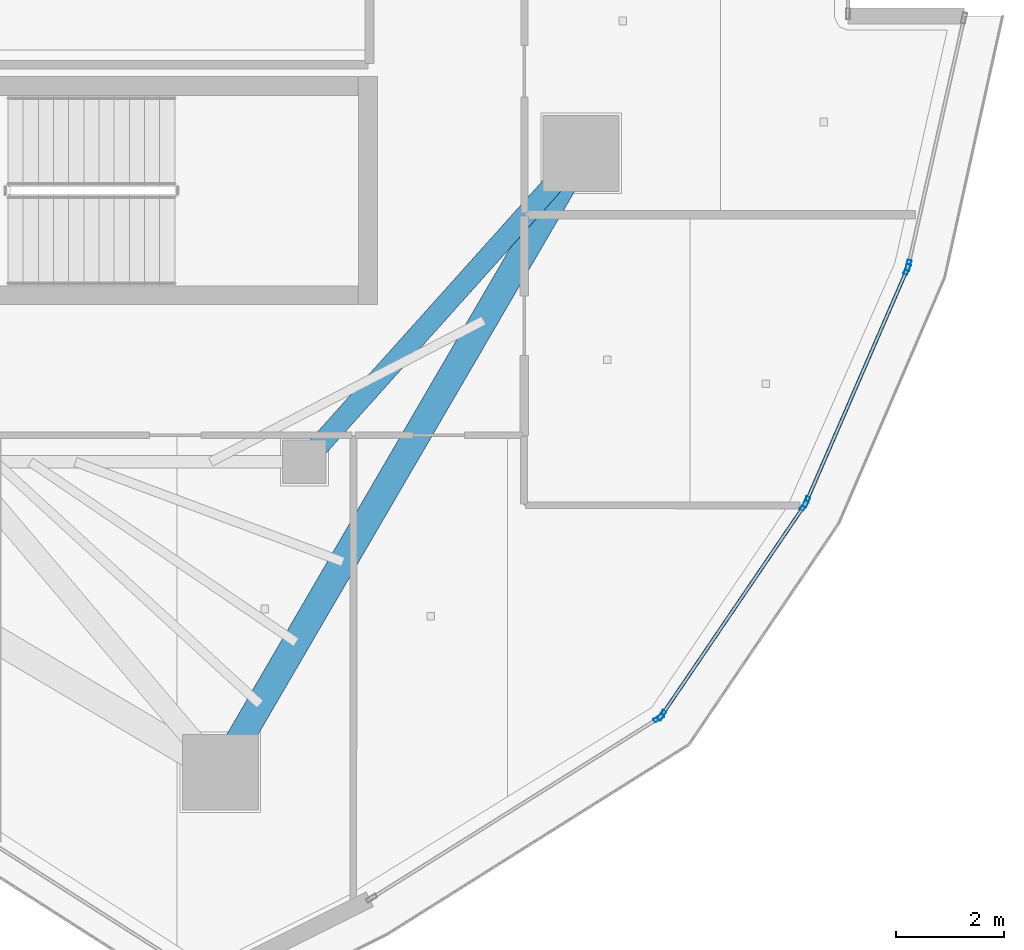
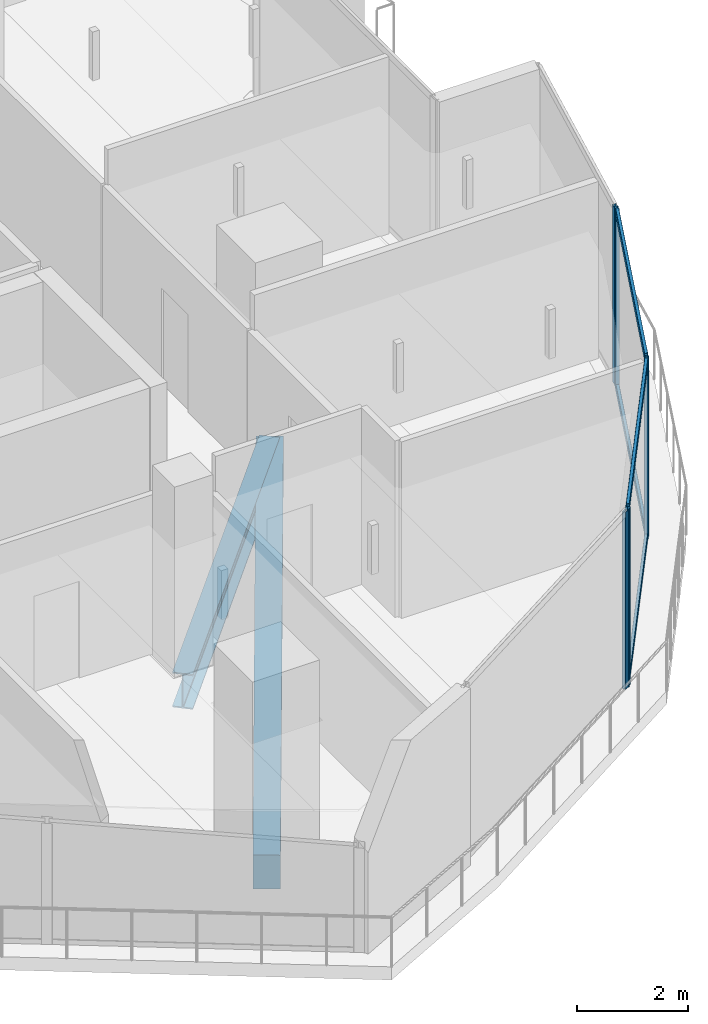
# One storey, part 9 of 24: 10 members, 2 beams, 4 elements without a shape of their own.
"""IFC4 building model written with IfcOpenShell, lengths in metres."""

import ifcopenshell
import ifcopenshell.guid

model = None  # the IFC model being written
_history = None  # IfcOwnerHistory: only IFC2X3 demands one
_inside = {}  # id of a spatial element -> (the spatial element, [elements in it])
_under = {}  # id of a project, library or spatial element -> (it, [spatial elements below it])
_declared = {}  # id of a project -> (the project, [libraries it declares])
_typed = {}  # id of a type object -> (the type object, [elements of that type])
_made_of = {}  # id of a material, layer set ... -> (it, [elements and type objects made of it])


def new_model(schema):
    """Start an empty IFC model of exactly this schema.

    Asked for "IFC4X3", IfcOpenShell would pick the latest addendum, in which some entities
    have other attributes; the version numbers below select the first issue.
    IFC2X3 requires an IfcOwnerHistory on every rooted entity: one is made here for all.
    """
    global model, _history
    if schema == "IFC4X3":
        model = ifcopenshell.file(schema_version=(4, 3, 0, 0))
    else:
        model = ifcopenshell.file(schema=schema)
    _inside.clear()
    _under.clear()
    _declared.clear()
    _typed.clear()
    _made_of.clear()
    _history = None
    if model.schema == "IFC2X3":
        org = make("IfcOrganization", Name="unknown")
        user = make(
            "IfcPersonAndOrganization",
            ThePerson=make("IfcPerson", FamilyName="unknown"),
            TheOrganization=org,
        )
        app = make(
            "IfcApplication",
            ApplicationDeveloper=org,
            Version="unknown",
            ApplicationFullName="unknown",
            ApplicationIdentifier="unknown",
        )
        _history = make(
            "IfcOwnerHistory",
            OwningUser=user,
            OwningApplication=app,
            ChangeAction="ADDED",
            CreationDate=0,
        )
    return model


def make(cls, **values):
    """One entity of the class cls with the attributes given. An attribute that is None is left unset."""
    return model.create_entity(
        cls, **{name: value for name, value in values.items() if value is not None}
    )


def rooted(cls, **values):
    """An entity with a GlobalId (a new one), such as an element, a storey or a relation."""
    return make(cls, GlobalId=ifcopenshell.guid.new(), OwnerHistory=_history, **values)


def si_unit(unit_type, name, prefix=None):
    """IfcSIUnit, for example si_unit("LENGTHUNIT", "METRE", prefix="MILLI")."""
    return make("IfcSIUnit", UnitType=unit_type, Prefix=prefix, Name=name)


def assignment(units):
    """IfcUnitAssignment: the units of a project."""
    return None if units is None else make("IfcUnitAssignment", Units=units)


def point(xyz):
    """IfcCartesianPoint."""
    return None if xyz is None else make("IfcCartesianPoint", Coordinates=xyz)


def direction(xyz):
    """IfcDirection."""
    return None if xyz is None else make("IfcDirection", DirectionRatios=xyz)


def frame(location, z_axis=None, x_axis=None):
    """IfcAxis2Placement3D, a coordinate frame: its origin and axes. An axis left out is left unset."""
    return make(
        "IfcAxis2Placement3D",
        Location=point(location),
        Axis=direction(z_axis),
        RefDirection=direction(x_axis),
    )


def frame_2d(location, x_axis=None):
    """IfcAxis2Placement2D, a coordinate frame in the plane: its origin and x axis."""
    return make(
        "IfcAxis2Placement2D", Location=point(location), RefDirection=direction(x_axis)
    )


def origin():
    """The frame at (0, 0, 0) with its axes left unset."""
    return frame((0.0, 0.0, 0.0))


def origin_2d():
    """The frame at (0, 0) in the plane with its x axis left unset."""
    return frame_2d((0.0, 0.0))


def place(relative_to, where):
    """IfcLocalPlacement: puts the frame where relative to a parent placement (None: the world)."""
    return make(
        "IfcLocalPlacement", PlacementRelTo=relative_to, RelativePlacement=where
    )


def context(
    kind, dimensions, precision=None, world=None, true_north=None, identifier=None
):
    """IfcGeometricRepresentationContext, for example the 3D "Model" context."""
    return make(
        "IfcGeometricRepresentationContext",
        ContextIdentifier=identifier,
        ContextType=kind,
        CoordinateSpaceDimension=dimensions,
        Precision=precision,
        WorldCoordinateSystem=world,
        TrueNorth=true_north,
    )


def subcontext(parent, identifier, kind, view, scale=None):
    """IfcGeometricRepresentationSubContext, for example "Body" below "Model"."""
    return make(
        "IfcGeometricRepresentationSubContext",
        ContextIdentifier=identifier,
        ContextType=kind,
        ParentContext=parent,
        TargetScale=scale,
        TargetView=view,
    )


def project(units=None, contexts=None):
    """IfcProject with its units and contexts."""
    return rooted(
        "IfcProject",
        Name="project",
        RepresentationContexts=contexts,
        UnitsInContext=assignment(units),
    )


def spatial(cls, under=None, at=None, **own):
    """A site, building, storey or space (cls), placed at a placement, below another one or the project."""
    s = rooted(cls, ObjectPlacement=at, **own)
    if under is not None:
        _under.setdefault(under.id(), (under, []))[1].append(s)
    return s


def profile(cls, at=None, kind="AREA", **sizes):
    """A parametric profile (cls). Its sizes go by their IFC names, for example OverallWidth=200.0."""
    return make(cls, ProfileType=kind, Position=at, **sizes)


def rectangle(**sizes):
    """IfcRectangleProfileDef."""
    return profile("IfcRectangleProfileDef", **sizes)


def hollow_rectangle(**sizes):
    """IfcRectangleHollowProfileDef."""
    return profile("IfcRectangleHollowProfileDef", **sizes)


def i_section(**sizes):
    """IfcIShapeProfileDef."""
    return profile("IfcIShapeProfileDef", **sizes)


def extrude(swept, where, along, depth):
    """IfcExtrudedAreaSolid: the profile swept, set in the frame where, extruded along a direction by depth."""
    return make(
        "IfcExtrudedAreaSolid",
        SweptArea=swept,
        Position=where,
        ExtrudedDirection=direction(along),
        Depth=depth,
    )


def shape(context_of_items, identifier, shape_type, items):
    """IfcShapeRepresentation: the items that make up one representation, for example the "Body"."""
    return make(
        "IfcShapeRepresentation",
        ContextOfItems=context_of_items,
        RepresentationIdentifier=identifier,
        RepresentationType=shape_type,
        Items=items,
    )


def material(Name=None, Category=None):
    """IfcMaterial."""
    return make("IfcMaterial", Name=Name, Category=Category)


def layer(
    of_material, thickness, ventilated=None, Name=None, Category=None, Priority=None
):
    """IfcMaterialLayer: one layer of a wall or slab, of a material (None: an air gap)."""
    return make(
        "IfcMaterialLayer",
        Material=of_material,
        LayerThickness=thickness,
        IsVentilated=ventilated,
        Name=Name,
        Category=Category,
        Priority=Priority,
    )


def layer_set(layers, Name=None):
    """IfcMaterialLayerSet."""
    return make("IfcMaterialLayerSet", MaterialLayers=layers, LayerSetName=Name)


def material_profile(
    of_material, cross_section, Name=None, Category=None, Priority=None
):
    """IfcMaterialProfile: a cross section and its material."""
    return make(
        "IfcMaterialProfile",
        Name=Name,
        Material=of_material,
        Profile=cross_section,
        Priority=Priority,
        Category=Category,
    )


def profile_set(profiles, Name=None, composite=None):
    """IfcMaterialProfileSet."""
    return make(
        "IfcMaterialProfileSet",
        Name=Name,
        MaterialProfiles=profiles,
        CompositeProfile=composite,
    )


def made_of(thing, what):
    """Note that an element or type object is made of a material, layer set ...; save() writes the relation."""
    if what is not None:
        _made_of.setdefault(what.id(), (what, []))[1].append(thing)
    return thing


def type_object(cls, material=None, **own):
    """A type object (cls), such as IfcWallType, which elements share."""
    return made_of(rooted(cls, **own), material)


def element(
    cls,
    number,
    at=None,
    inside=None,
    cuts=None,
    type_object=None,
    material=None,
    context=None,
    identifier="Body",
    shape_type=None,
    held_by="IfcProductDefinitionShape",
    body=None,
    shapes=None,
    **own,
):
    """One element of the class cls, such as IfcWall. Its Tag is "e" and its number.

    at: its placement. inside: the storey or other place that contains it. cuts: it is an
    opening in that element (IfcRelVoidsElement). A single representation is given by context,
    identifier, shape_type and body (its items); several are given by shapes. held_by: the class
    of the entity that holds the representations. save() writes the other relations.
    """
    e = rooted(cls, Tag="e%d" % number, ObjectPlacement=at, **own)
    if body is not None:
        shapes = [shape(context, identifier, shape_type, body)]
    if shapes is not None:
        e.Representation = make(held_by, Representations=shapes)
    if inside is not None:
        _inside.setdefault(inside.id(), (inside, []))[1].append(e)
    if cuts is not None:
        rooted(
            "IfcRelVoidsElement", RelatingBuildingElement=cuts, RelatedOpeningElement=e
        )
    if type_object is not None:
        _typed.setdefault(type_object.id(), (type_object, []))[1].append(e)
    return made_of(e, material)


def aggregate(whole, parts):
    """IfcRelAggregates: a whole, such as a stair, and the parts it consists of."""
    return rooted("IfcRelAggregates", RelatingObject=whole, RelatedObjects=parts)


def save(model, path):
    """Write the relations noted so far, then the file.

    IfcRelAggregates (storeys below a building ...), IfcRelContainedInSpatialStructure (elements
    in a storey), IfcRelDefinesByType, IfcRelAssociatesMaterial and IfcRelDeclares: one each for
    every whole, place, type object, material and project.
    """
    for whole, parts in _under.values():
        aggregate(whole, parts)
    for where, things in _inside.values():
        rooted(
            "IfcRelContainedInSpatialStructure",
            RelatedElements=things,
            RelatingStructure=where,
        )
    for kind, things in _typed.values():
        rooted("IfcRelDefinesByType", RelatedObjects=things, RelatingType=kind)
    for what, things in _made_of.values():
        rooted("IfcRelAssociatesMaterial", RelatedObjects=things, RelatingMaterial=what)
    for by, libraries in _declared.values():
        rooted("IfcRelDeclares", RelatingContext=by, RelatedDefinitions=libraries)
    model.write(path)


model = new_model("IFC4")

# Units and contexts
model_context = context("Model", 3, precision=1e-05, world=origin(), true_north=direction((0.0, 1.0)))
body_context = subcontext(model_context, "Body", "Model", "MODEL_VIEW")
ifc_project = project(units=[si_unit("LENGTHUNIT", "METRE"), si_unit("AREAUNIT", "SQUARE_METRE"), si_unit("VOLUMEUNIT", "CUBIC_METRE"), si_unit("PLANEANGLEUNIT", "RADIAN"), si_unit("MASSUNIT", "GRAM", prefix="KILO")], contexts=[model_context])

# Site, building, storey
site_placement = place(None, origin())
site = spatial("IfcSite", under=ifc_project, at=site_placement, CompositionType="ELEMENT")
building_placement = place(site_placement, origin())
building = spatial("IfcBuilding", under=site, at=building_placement, Name="Qorvath Tower", CompositionType="ELEMENT")
storey_placement = place(building_placement, frame((0.0, 0.0, 318.60009765625)))
storey = spatial("IfcBuildingStorey", under=building, at=storey_placement, Name="L74", CompositionType="ELEMENT", Elevation=318.60009765625)

# Beams
ifc_material_1 = material(Name="Steel ASTM A992 Grade 50", Category="steel")
ifc_material_profile_1 = material_profile(ifc_material_1, i_section(OverallWidth=0.381103515625, OverallDepth=0.77294921875, WebThickness=0.0166015625, FlangeThickness=0.027099609375, FilletRadius=0.01904296875, at=origin_2d()), Name="W30x173")
ifc_profile_set_1 = profile_set([ifc_material_profile_1], Name="Steel ASTM A992 Grade 50")
beam_type_1 = type_object("IfcBeamType", Name="BM-FG3", PredefinedType="BEAM", material=ifc_profile_set_1)
beam_1_placement = place(storey_placement, frame((-17.199951171875, -11.449951171875, -0.676513671875), z_axis=(0.667543184261, 0.744571082669, 0.0), x_axis=(-0.744571082669, 0.667543184261, 0.0)))
element("IfcBeam", 1, at=beam_1_placement, inside=storey, type_object=beam_type_1, Name="Radial Floor Girder CC3-MC4 L74", PredefinedType="BEAM", context=body_context, shape_type="SweptSolid", body=[
    extrude(i_section(OverallWidth=0.381103515625, OverallDepth=0.77294921875, WebThickness=0.0166015625, FlangeThickness=0.027099609375, FilletRadius=0.01904296875, at=origin_2d()), origin(), (0.0, 0.0, 1.0), 7.644775390625),
])
ifc_material_2 = material(Name="Concrete C45/55", Category="concrete")
ifc_material_profile_2 = material_profile(ifc_material_2, rectangle(XDim=0.5, YDim=0.75, at=origin_2d()), Name="RCB 750x500")
ifc_profile_set_2 = profile_set([ifc_material_profile_2], Name="Concrete C45/55")
beam_type_2 = type_object("IfcBeamType", Name="BM-RCB3", PredefinedType="SPANDREL", material=ifc_profile_set_2)
beam_2_placement = place(storey_placement, frame((-18.75048828125, -17.175537109375, -0.6650390625), z_axis=(0.503502256692, 0.863993910572, 0.0), x_axis=(-0.863993910572, 0.503502256692, 0.0)))
element("IfcBeam", 2, at=beam_2_placement, inside=storey, type_object=beam_type_2, Name="Perimeter Loggia Frame Beam MC3-MC4 L74", PredefinedType="SPANDREL", context=body_context, shape_type="SweptSolid", body=[
    extrude(rectangle(XDim=0.5, YDim=0.75, at=origin_2d()), origin(), (0.0, 0.0, 1.0), 13.215087890625),
])

# Curtain wall, member
ifc_material_3 = material(Name="Anodised aluminium and triple low-E glass", Category="aluminium")
ifc_layer = layer(ifc_material_3, 0.179931640625)
ifc_layer_set = layer_set([ifc_layer], Name="CW-SYS-4")
curtain_wall_type = type_object("IfcCurtainWallType", Name="CW-SYS-4", PredefinedType="NOTDEFINED", material=ifc_layer_set)
curtain_wall_1_placement = place(storey_placement, origin())
curtain_wall_1 = element("IfcCurtainWall", 3, at=curtain_wall_1_placement, inside=storey, type_object=curtain_wall_type, Name="Curtain Wall CW-4 CW-T-L74-4.1", PredefinedType="NOTDEFINED")
ifc_material_4 = material(Name="Anodised aluminium 6063-T6", Category="aluminium")
ifc_material_profile_3 = material_profile(ifc_material_4, hollow_rectangle(XDim=0.074951171875, YDim=0.199951171875, WallThickness=0.00390625, InnerFilletRadius=0.00390625, OuterFilletRadius=0.008056640625, at=origin_2d()), Name="CWM 200x75")
ifc_profile_set_3 = profile_set([ifc_material_profile_3], Name="Anodised aluminium 6063-T6")
member_type_1 = type_object("IfcMemberType", Name="CWM-200", PredefinedType="MULLION", material=ifc_profile_set_3)
member_1_placement = place(storey_placement, frame((-10.658935546875, -16.17431640625, 0.0), z_axis=(0.0, 0.0, 1.0), x_axis=(-0.531317282713, 0.847172913336, 0.0)))
member_1 = element("IfcMember", 4, at=member_1_placement, type_object=member_type_1, Name="CW-4 mullion 2", PredefinedType="MULLION", context=body_context, shape_type="SweptSolid", body=[
    extrude(hollow_rectangle(XDim=0.074951171875, YDim=0.199951171875, WallThickness=0.00390625, InnerFilletRadius=0.00390625, OuterFilletRadius=0.008056640625, at=origin_2d()), origin(), (0.0, 0.0, 1.0), 3.909912109375),
])
aggregate(curtain_wall_1, [member_1])

# Curtain wall, members
curtain_wall_2_placement = place(storey_placement, origin())
curtain_wall_2 = element("IfcCurtainWall", 5, at=curtain_wall_2_placement, inside=storey, type_object=curtain_wall_type, Name="Curtain Wall CW-4 CW-T-L74-5.1", PredefinedType="NOTDEFINED")
member_2_placement = place(storey_placement, frame((-10.606201171875, -16.123291015625, 0.0), z_axis=(0.0, 0.0, 1.0), x_axis=(-0.827081806611, 0.56208156452, 0.0)))
member_2 = element("IfcMember", 6, at=member_2_placement, type_object=member_type_1, Name="CW-4 mullion 1", PredefinedType="MULLION", context=body_context, shape_type="SweptSolid", body=[
    extrude(hollow_rectangle(XDim=0.074951171875, YDim=0.199951171875, WallThickness=0.00390625, InnerFilletRadius=0.00390625, OuterFilletRadius=0.008056640625, at=origin_2d()), origin(), (0.0, 0.0, 1.0), 3.909912109375),
])
member_3_placement = place(storey_placement, frame((-7.976318359375, -12.253662109375, 0.0), z_axis=(0.0, 0.0, 1.0), x_axis=(-0.827081806611, 0.56208156452, 0.0)))
member_3 = element("IfcMember", 7, at=member_3_placement, type_object=member_type_1, Name="CW-4 mullion 2", PredefinedType="MULLION", context=body_context, shape_type="SweptSolid", body=[
    extrude(hollow_rectangle(XDim=0.074951171875, YDim=0.199951171875, WallThickness=0.00390625, InnerFilletRadius=0.00390625, OuterFilletRadius=0.008056640625, at=origin_2d()), origin(), (0.0, 0.0, 1.0), 3.909912109375),
])

curtain_wall_3_placement = place(storey_placement, origin())
curtain_wall_3 = element("IfcCurtainWall", 8, at=curtain_wall_3_placement, inside=storey, type_object=curtain_wall_type, Name="Curtain Wall CW-4 CW-T-L74-6.1", PredefinedType="NOTDEFINED")
member_4_placement = place(storey_placement, frame((-7.9404296875, -12.188232421875, 0.0), z_axis=(0.0, 0.0, 1.0), x_axis=(-0.917466577873, 0.397812868679, 0.0)))
member_4 = element("IfcMember", 9, at=member_4_placement, type_object=member_type_1, Name="CW-4 mullion 1", PredefinedType="MULLION", context=body_context, shape_type="SweptSolid", body=[
    extrude(hollow_rectangle(XDim=0.074951171875, YDim=0.199951171875, WallThickness=0.00390625, InnerFilletRadius=0.00390625, OuterFilletRadius=0.008056640625, at=origin_2d()), origin(), (0.0, 0.0, 1.0), 3.909912109375),
])
member_5_placement = place(storey_placement, frame((-6.0791015625, -7.895751953125, 0.0), z_axis=(0.0, 0.0, 1.0), x_axis=(-0.917466577873, 0.397812868679, 0.0)))
member_5 = element("IfcMember", 10, at=member_5_placement, type_object=member_type_1, Name="CW-4 mullion 2", PredefinedType="MULLION", context=body_context, shape_type="SweptSolid", body=[
    extrude(hollow_rectangle(XDim=0.074951171875, YDim=0.199951171875, WallThickness=0.00390625, InnerFilletRadius=0.00390625, OuterFilletRadius=0.008056640625, at=origin_2d()), origin(), (0.0, 0.0, 1.0), 3.909912109375),
])

# Curtain wall, member
curtain_wall_4_placement = place(storey_placement, origin())
curtain_wall_4 = element("IfcCurtainWall", 11, at=curtain_wall_4_placement, inside=storey, type_object=curtain_wall_type, Name="Curtain Wall CW-4 CW-T-L74-7.1", PredefinedType="NOTDEFINED")
member_6_placement = place(storey_placement, frame((-6.055908203125, -7.82470703125, 0.0), z_axis=(0.0, 0.0, 1.0), x_axis=(-0.975596914118, 0.219569262793, 0.0)))
member_6 = element("IfcMember", 12, at=member_6_placement, type_object=member_type_1, Name="CW-4 mullion 1", PredefinedType="MULLION", context=body_context, shape_type="SweptSolid", body=[
    extrude(hollow_rectangle(XDim=0.074951171875, YDim=0.199951171875, WallThickness=0.00390625, InnerFilletRadius=0.00390625, OuterFilletRadius=0.008056640625, at=origin_2d()), origin(), (0.0, 0.0, 1.0), 3.909912109375),
])
aggregate(curtain_wall_4, [member_6])

# Member
ifc_material_5 = material(Name="Anodised aluminium 6063-T6", Category="aluminium")
ifc_material_profile_4 = material_profile(ifc_material_5, hollow_rectangle(XDim=0.06494140625, YDim=0.159912109375, WallThickness=0.00341796875, InnerFilletRadius=0.00341796875, OuterFilletRadius=0.007080078125, at=origin_2d()), Name="CWT 160x65")
ifc_profile_set_4 = profile_set([ifc_material_profile_4], Name="Anodised aluminium 6063-T6")
member_type_2 = type_object("IfcMemberType", Name="CWT-160", PredefinedType="USERDEFINED", material=ifc_profile_set_4)
member_7_placement = place(storey_placement, frame((-10.5849609375, -16.09228515625, 0.032470703125), z_axis=(0.562045987151, 0.827105983733, 0.0), x_axis=(-0.827105983733, 0.562045987151, 0.0)))
member_7 = element("IfcMember", 13, at=member_7_placement, type_object=member_type_2, Name="CW-4 transom 1.1", ObjectType="TRANSOM", PredefinedType="USERDEFINED", context=body_context, shape_type="SweptSolid", body=[
    extrude(hollow_rectangle(XDim=0.06494140625, YDim=0.159912109375, WallThickness=0.00341796875, InnerFilletRadius=0.00341796875, OuterFilletRadius=0.007080078125, at=origin_2d()), origin(), (0.0, 0.0, 1.0), 4.603515625),
])

member_8_placement = place(storey_placement, frame((-10.5849609375, -16.09228515625, 3.87744140625), z_axis=(0.562045987151, 0.827105983733, 0.0), x_axis=(-0.827105983733, 0.562045987151, 0.0)))
member_8 = element("IfcMember", 14, at=member_8_placement, type_object=member_type_2, Name="CW-4 transom 1.2", ObjectType="TRANSOM", PredefinedType="USERDEFINED", context=body_context, shape_type="SweptSolid", body=[
    extrude(hollow_rectangle(XDim=0.06494140625, YDim=0.159912109375, WallThickness=0.00341796875, InnerFilletRadius=0.00341796875, OuterFilletRadius=0.007080078125, at=origin_2d()), origin(), (0.0, 0.0, 1.0), 4.603515625),
])

aggregate(curtain_wall_2, [member_2, member_3, member_7, member_8])

member_9_placement = place(storey_placement, frame((-7.925537109375, -12.15380859375, 0.032470703125), z_axis=(0.397845547041, 0.917452407866, 0.0), x_axis=(-0.917452407866, 0.397845547041, 0.0)))
member_9 = element("IfcMember", 15, at=member_9_placement, type_object=member_type_2, Name="CW-4 transom 1.1", ObjectType="TRANSOM", PredefinedType="USERDEFINED", context=body_context, shape_type="SweptSolid", body=[
    extrude(hollow_rectangle(XDim=0.06494140625, YDim=0.159912109375, WallThickness=0.00341796875, InnerFilletRadius=0.00341796875, OuterFilletRadius=0.007080078125, at=origin_2d()), origin(), (0.0, 0.0, 1.0), 4.603759765625),
])

member_10_placement = place(storey_placement, frame((-7.925537109375, -12.15380859375, 3.87744140625), z_axis=(0.397845547041, 0.917452407866, 0.0), x_axis=(-0.917452407866, 0.397845547041, 0.0)))
member_10 = element("IfcMember", 16, at=member_10_placement, type_object=member_type_2, Name="CW-4 transom 1.2", ObjectType="TRANSOM", PredefinedType="USERDEFINED", context=body_context, shape_type="SweptSolid", body=[
    extrude(hollow_rectangle(XDim=0.06494140625, YDim=0.159912109375, WallThickness=0.00341796875, InnerFilletRadius=0.00341796875, OuterFilletRadius=0.007080078125, at=origin_2d()), origin(), (0.0, 0.0, 1.0), 4.603759765625),
])

aggregate(curtain_wall_3, [member_4, member_5, member_9, member_10])

save(model, "model.ifc")
